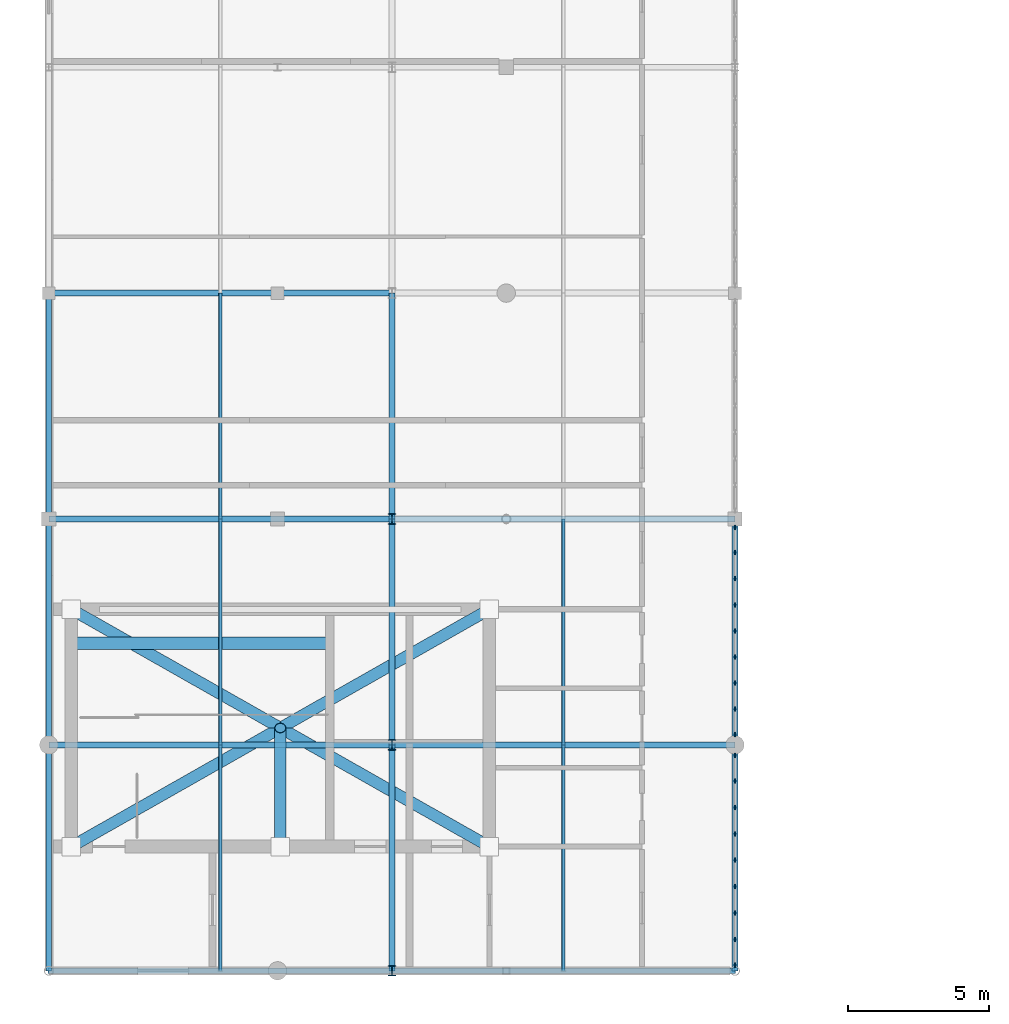
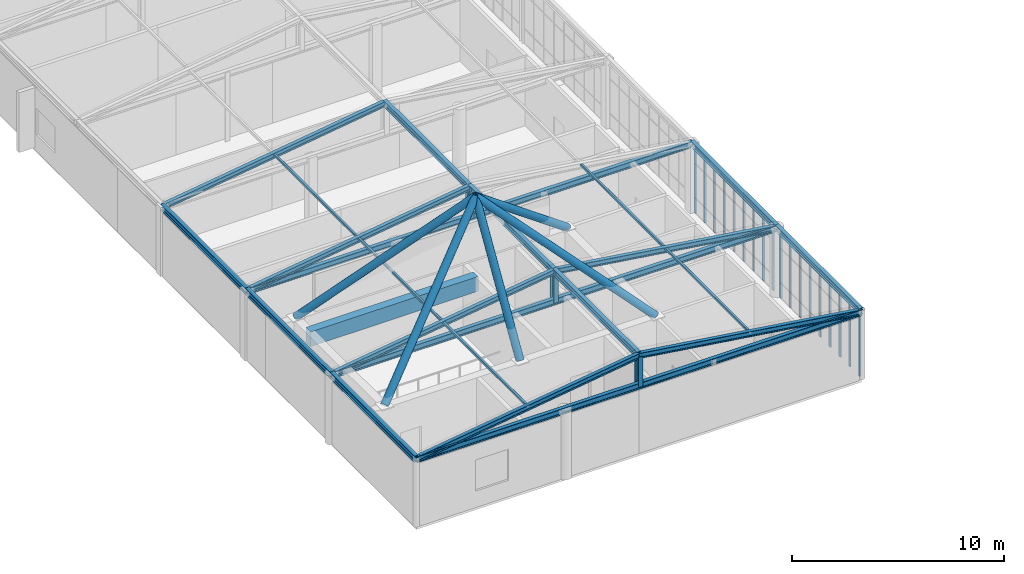
# One storey, part 4 of 21: 37 members, 12 beams, 2 elements without a shape of their own.
"""IFC4 building model written with IfcOpenShell, lengths in metres."""

import ifcopenshell
import ifcopenshell.guid

model = None  # the IFC model being written
_history = None  # IfcOwnerHistory: only IFC2X3 demands one
_inside = {}  # id of a spatial element -> (the spatial element, [elements in it])
_under = {}  # id of a project, library or spatial element -> (it, [spatial elements below it])
_declared = {}  # id of a project -> (the project, [libraries it declares])
_typed = {}  # id of a type object -> (the type object, [elements of that type])
_made_of = {}  # id of a material, layer set ... -> (it, [elements and type objects made of it])


def new_model(schema):
    """Start an empty IFC model of exactly this schema.

    Asked for "IFC4X3", IfcOpenShell would pick the latest addendum, in which some entities
    have other attributes; the version numbers below select the first issue.
    IFC2X3 requires an IfcOwnerHistory on every rooted entity: one is made here for all.
    """
    global model, _history
    if schema == "IFC4X3":
        model = ifcopenshell.file(schema_version=(4, 3, 0, 0))
    else:
        model = ifcopenshell.file(schema=schema)
    _inside.clear()
    _under.clear()
    _declared.clear()
    _typed.clear()
    _made_of.clear()
    _history = None
    if model.schema == "IFC2X3":
        org = make("IfcOrganization", Name="unknown")
        user = make(
            "IfcPersonAndOrganization",
            ThePerson=make("IfcPerson", FamilyName="unknown"),
            TheOrganization=org,
        )
        app = make(
            "IfcApplication",
            ApplicationDeveloper=org,
            Version="unknown",
            ApplicationFullName="unknown",
            ApplicationIdentifier="unknown",
        )
        _history = make(
            "IfcOwnerHistory",
            OwningUser=user,
            OwningApplication=app,
            ChangeAction="ADDED",
            CreationDate=0,
        )
    return model


def make(cls, **values):
    """One entity of the class cls with the attributes given. An attribute that is None is left unset."""
    return model.create_entity(
        cls, **{name: value for name, value in values.items() if value is not None}
    )


def rooted(cls, **values):
    """An entity with a GlobalId (a new one), such as an element, a storey or a relation."""
    return make(cls, GlobalId=ifcopenshell.guid.new(), OwnerHistory=_history, **values)


def si_unit(unit_type, name, prefix=None):
    """IfcSIUnit, for example si_unit("LENGTHUNIT", "METRE", prefix="MILLI")."""
    return make("IfcSIUnit", UnitType=unit_type, Prefix=prefix, Name=name)


def assignment(units):
    """IfcUnitAssignment: the units of a project."""
    return None if units is None else make("IfcUnitAssignment", Units=units)


def point(xyz):
    """IfcCartesianPoint."""
    return None if xyz is None else make("IfcCartesianPoint", Coordinates=xyz)


def direction(xyz):
    """IfcDirection."""
    return None if xyz is None else make("IfcDirection", DirectionRatios=xyz)


def frame(location, z_axis=None, x_axis=None):
    """IfcAxis2Placement3D, a coordinate frame: its origin and axes. An axis left out is left unset."""
    return make(
        "IfcAxis2Placement3D",
        Location=point(location),
        Axis=direction(z_axis),
        RefDirection=direction(x_axis),
    )


def frame_2d(location, x_axis=None):
    """IfcAxis2Placement2D, a coordinate frame in the plane: its origin and x axis."""
    return make(
        "IfcAxis2Placement2D", Location=point(location), RefDirection=direction(x_axis)
    )


def origin():
    """The frame at (0, 0, 0) with its axes left unset."""
    return frame((0.0, 0.0, 0.0))


def origin_2d():
    """The frame at (0, 0) in the plane with its x axis left unset."""
    return frame_2d((0.0, 0.0))


def place(relative_to, where):
    """IfcLocalPlacement: puts the frame where relative to a parent placement (None: the world)."""
    return make(
        "IfcLocalPlacement", PlacementRelTo=relative_to, RelativePlacement=where
    )


def context(
    kind, dimensions, precision=None, world=None, true_north=None, identifier=None
):
    """IfcGeometricRepresentationContext, for example the 3D "Model" context."""
    return make(
        "IfcGeometricRepresentationContext",
        ContextIdentifier=identifier,
        ContextType=kind,
        CoordinateSpaceDimension=dimensions,
        Precision=precision,
        WorldCoordinateSystem=world,
        TrueNorth=true_north,
    )


def subcontext(parent, identifier, kind, view, scale=None):
    """IfcGeometricRepresentationSubContext, for example "Body" below "Model"."""
    return make(
        "IfcGeometricRepresentationSubContext",
        ContextIdentifier=identifier,
        ContextType=kind,
        ParentContext=parent,
        TargetScale=scale,
        TargetView=view,
    )


def project(units=None, contexts=None):
    """IfcProject with its units and contexts."""
    return rooted(
        "IfcProject",
        Name="project",
        RepresentationContexts=contexts,
        UnitsInContext=assignment(units),
    )


def spatial(cls, under=None, at=None, **own):
    """A site, building, storey or space (cls), placed at a placement, below another one or the project."""
    s = rooted(cls, ObjectPlacement=at, **own)
    if under is not None:
        _under.setdefault(under.id(), (under, []))[1].append(s)
    return s


def profile(cls, at=None, kind="AREA", **sizes):
    """A parametric profile (cls). Its sizes go by their IFC names, for example OverallWidth=200.0."""
    return make(cls, ProfileType=kind, Position=at, **sizes)


def rectangle(**sizes):
    """IfcRectangleProfileDef."""
    return profile("IfcRectangleProfileDef", **sizes)


def hollow_rectangle(**sizes):
    """IfcRectangleHollowProfileDef."""
    return profile("IfcRectangleHollowProfileDef", **sizes)


def hollow_circle(**sizes):
    """IfcCircleHollowProfileDef."""
    return profile("IfcCircleHollowProfileDef", **sizes)


def i_section(**sizes):
    """IfcIShapeProfileDef."""
    return profile("IfcIShapeProfileDef", **sizes)


def extrude(swept, where, along, depth):
    """IfcExtrudedAreaSolid: the profile swept, set in the frame where, extruded along a direction by depth."""
    return make(
        "IfcExtrudedAreaSolid",
        SweptArea=swept,
        Position=where,
        ExtrudedDirection=direction(along),
        Depth=depth,
    )


def shape(context_of_items, identifier, shape_type, items):
    """IfcShapeRepresentation: the items that make up one representation, for example the "Body"."""
    return make(
        "IfcShapeRepresentation",
        ContextOfItems=context_of_items,
        RepresentationIdentifier=identifier,
        RepresentationType=shape_type,
        Items=items,
    )


def material(Name=None, Category=None):
    """IfcMaterial."""
    return make("IfcMaterial", Name=Name, Category=Category)


def material_profile(
    of_material, cross_section, Name=None, Category=None, Priority=None
):
    """IfcMaterialProfile: a cross section and its material."""
    return make(
        "IfcMaterialProfile",
        Name=Name,
        Material=of_material,
        Profile=cross_section,
        Priority=Priority,
        Category=Category,
    )


def profile_set(profiles, Name=None, composite=None):
    """IfcMaterialProfileSet."""
    return make(
        "IfcMaterialProfileSet",
        Name=Name,
        MaterialProfiles=profiles,
        CompositeProfile=composite,
    )


def made_of(thing, what):
    """Note that an element or type object is made of a material, layer set ...; save() writes the relation."""
    if what is not None:
        _made_of.setdefault(what.id(), (what, []))[1].append(thing)
    return thing


def type_object(cls, material=None, **own):
    """A type object (cls), such as IfcWallType, which elements share."""
    return made_of(rooted(cls, **own), material)


def element(
    cls,
    number,
    at=None,
    inside=None,
    cuts=None,
    type_object=None,
    material=None,
    context=None,
    identifier="Body",
    shape_type=None,
    held_by="IfcProductDefinitionShape",
    body=None,
    shapes=None,
    **own,
):
    """One element of the class cls, such as IfcWall. Its Tag is "e" and its number.

    at: its placement. inside: the storey or other place that contains it. cuts: it is an
    opening in that element (IfcRelVoidsElement). A single representation is given by context,
    identifier, shape_type and body (its items); several are given by shapes. held_by: the class
    of the entity that holds the representations. save() writes the other relations.
    """
    e = rooted(cls, Tag="e%d" % number, ObjectPlacement=at, **own)
    if body is not None:
        shapes = [shape(context, identifier, shape_type, body)]
    if shapes is not None:
        e.Representation = make(held_by, Representations=shapes)
    if inside is not None:
        _inside.setdefault(inside.id(), (inside, []))[1].append(e)
    if cuts is not None:
        rooted(
            "IfcRelVoidsElement", RelatingBuildingElement=cuts, RelatedOpeningElement=e
        )
    if type_object is not None:
        _typed.setdefault(type_object.id(), (type_object, []))[1].append(e)
    return made_of(e, material)


def aggregate(whole, parts):
    """IfcRelAggregates: a whole, such as a stair, and the parts it consists of."""
    return rooted("IfcRelAggregates", RelatingObject=whole, RelatedObjects=parts)


def save(model, path):
    """Write the relations noted so far, then the file.

    IfcRelAggregates (storeys below a building ...), IfcRelContainedInSpatialStructure (elements
    in a storey), IfcRelDefinesByType, IfcRelAssociatesMaterial and IfcRelDeclares: one each for
    every whole, place, type object, material and project.
    """
    for whole, parts in _under.values():
        aggregate(whole, parts)
    for where, things in _inside.values():
        rooted(
            "IfcRelContainedInSpatialStructure",
            RelatedElements=things,
            RelatingStructure=where,
        )
    for kind, things in _typed.values():
        rooted("IfcRelDefinesByType", RelatedObjects=things, RelatingType=kind)
    for what, things in _made_of.values():
        rooted("IfcRelAssociatesMaterial", RelatedObjects=things, RelatingMaterial=what)
    for by, libraries in _declared.values():
        rooted("IfcRelDeclares", RelatingContext=by, RelatedDefinitions=libraries)
    model.write(path)


model = new_model("IFC4")

# Units and contexts
model_context = context("Model", 3, precision=1e-05, world=origin(), true_north=direction((0.0, 1.0)))
body_context = subcontext(model_context, "Body", "Model", "MODEL_VIEW")
ifc_project = project(units=[si_unit("LENGTHUNIT", "METRE"), si_unit("AREAUNIT", "SQUARE_METRE"), si_unit("VOLUMEUNIT", "CUBIC_METRE"), si_unit("PLANEANGLEUNIT", "RADIAN"), si_unit("MASSUNIT", "GRAM", prefix="KILO")], contexts=[model_context])

# Site, building, storey
site_placement = place(None, origin())
site = spatial("IfcSite", under=ifc_project, at=site_placement, CompositionType="ELEMENT")
building_placement = place(site_placement, origin())
building = spatial("IfcBuilding", under=site, at=building_placement, Name="Tarnveldt Square Police Headquarters", CompositionType="ELEMENT")
storey_placement = place(building_placement, frame((0.0, 0.0, 33.300048828125)))
storey = spatial("IfcBuildingStorey", under=building, at=storey_placement, Name="L07", CompositionType="ELEMENT", Elevation=33.300048828125)

# Beams
ifc_material_1 = material(Name="Concrete 50 MPa", Category="concrete")
ifc_material_profile_1 = material_profile(ifc_material_1, rectangle(XDim=0.449951171875, YDim=0.85009765625, at=origin_2d()), Name="RC-CB450x850")
ifc_profile_set_1 = profile_set([ifc_material_profile_1], Name="Concrete 50 MPa")
beam_type_1 = type_object("IfcBeamType", Name="BM-CB450x850", PredefinedType="BEAM", material=ifc_profile_set_1)
beam_placement = place(storey_placement, frame((17.0, 67.60009765625, 3.554931640625), z_axis=(1.0, 0.0, 0.0), x_axis=(0.0, 1.0, 0.0)))
element("IfcBeam", 1, at=beam_placement, inside=storey, type_object=beam_type_1, Name="Core K1 South-West Command and Firefighting Core L07 Ductile Coupling Beam", PredefinedType="BEAM", context=body_context, shape_type="SweptSolid", body=[
    extrude(rectangle(XDim=0.449951171875, YDim=0.85009765625, at=origin_2d()), origin(), (0.0, 0.0, 1.0), 9.14990234375),
])
ifc_material_2 = material(Name="Steel 350W", Category="steel")
ifc_material_profile_2 = material_profile(ifc_material_2, i_section(OverallWidth=0.205078125, OverallDepth=0.35400390625, WebThickness=0.009521484375, FlangeThickness=0.016845703125, FilletRadius=0.01611328125, at=origin_2d()), Name="W360x79")
ifc_profile_set_2 = profile_set([ifc_material_profile_2], Name="Steel 350W")
beam_type_2 = type_object("IfcBeamType", Name="BM-W360x79", PredefinedType="JOIST", material=ifc_profile_set_2)
for number, where, z_axis, x_axis, name in (
    (2, (16.199951171875, 56.0, 3.83984375), (1.0, 0.0, 0.0), (0.0, 1.0, 0.0), "L07 Roof Tie Girder 56"),
    (3, (16.199951171875, 64.0, 3.83984375), (1.0, 0.0, 0.0), (0.0, 1.0, 0.0), "L07 Roof Tie Girder 64"),
    (4, (16.199951171875, 72.0, 3.83984375), (1.0, 0.0, 0.0), (0.0, 1.0, 0.0), "L07 Roof Tie Girder 72"),
):
    element("IfcBeam", number, at=place(storey_placement, frame(where, z_axis=z_axis, x_axis=x_axis)), inside=storey, type_object=beam_type_2, Name=name, PredefinedType="JOIST", context=body_context, shape_type="SweptSolid", body=[
        extrude(i_section(OverallWidth=0.205078125, OverallDepth=0.35400390625, WebThickness=0.009521484375, FlangeThickness=0.016845703125, FilletRadius=0.01611328125, at=origin_2d()), origin(), (0.0, 0.0, 1.0), 24.300048828125),
    ])
for number, where, z_axis, x_axis, name in (
    (5, (16.199951171875, 56.0, 3.83984375), (0.0, 1.0, 0.0), (-1.0, 0.0, 0.0), "L07 Eave Girder W-1"),
    (6, (40.5, 56.0, 3.83984375), (0.0, 1.0, 0.0), (-1.0, 0.0, 0.0), "L07 Eave Girder E-1"),
    (7, (28.35009765625, 56.0, 5.579833984375), (0.0, 1.0, 0.0), (-1.0, 0.0, 0.0), "L07 Ridge Beam 1"),
    (8, (16.199951171875, 64.0, 3.83984375), (0.0, 1.0, 0.0), (-1.0, 0.0, 0.0), "L07 Eave Girder W-2"),
    (9, (40.5, 64.0, 3.83984375), (0.0, 1.0, 0.0), (-1.0, 0.0, 0.0), "L07 Eave Girder E-2"),
    (10, (28.35009765625, 64.0, 5.579833984375), (0.0, 1.0, 0.0), (-1.0, 0.0, 0.0), "L07 Ridge Beam 2"),
    (11, (16.199951171875, 72.0, 3.83984375), (0.0, 1.0, 0.0), (-1.0, 0.0, 0.0), "L07 Eave Girder W-3"),
    (12, (28.35009765625, 72.0, 5.579833984375), (0.0, 1.0, 0.0), (-1.0, 0.0, 0.0), "L07 Ridge Beam 3"),
):
    element("IfcBeam", number, at=place(storey_placement, frame(where, z_axis=z_axis, x_axis=x_axis)), inside=storey, type_object=beam_type_2, Name=name, PredefinedType="JOIST", context=body_context, shape_type="SweptSolid", body=[
        extrude(i_section(OverallWidth=0.205078125, OverallDepth=0.35400390625, WebThickness=0.009521484375, FlangeThickness=0.016845703125, FilletRadius=0.01611328125, at=origin_2d()), origin(), (0.0, 0.0, 1.0), 8.0),
    ])

# Curtain wall, members
ifc_material_3 = material(Name="Triple-glazed low-e laminated vision glass", Category="glass")
curtain_wall_type_1 = type_object("IfcCurtainWallType", Name="CW-UP-748x366", PredefinedType="USERDEFINED", material=ifc_material_3)
curtain_wall_1_placement = place(storey_placement, origin())
curtain_wall_1 = element("IfcCurtainWall", 13, at=curtain_wall_1_placement, inside=storey, type_object=curtain_wall_type_1, Name="L07 Curtain Wall CW-L07-094", ObjectType="GLAZED CURTAIN WALL", PredefinedType="USERDEFINED")
ifc_material_4 = material(Name="Thermally broken anodised aluminium 6063-T6", Category="aluminium")
ifc_material_profile_3 = material_profile(ifc_material_4, rectangle(XDim=0.06494140625, YDim=0.159912109375, at=origin_2d()), Name="CW-M65x160")
ifc_profile_set_3 = profile_set([ifc_material_profile_3], Name="Thermally broken anodised aluminium 6063-T6")
member_type_1 = type_object("IfcMemberType", Name="CWM-65x160", PredefinedType="MULLION", material=ifc_profile_set_3)
member_1_placement = place(storey_placement, frame((40.5, 56.20947265625, 0.0), z_axis=(0.0, 0.0, 1.0), x_axis=(-1.0, 0.0, 0.0)))
member_1 = element("IfcMember", 14, at=member_1_placement, type_object=member_type_1, Name="CW-UP51 mullion 1", PredefinedType="MULLION", context=body_context, shape_type="SweptSolid", body=[
    extrude(rectangle(XDim=0.06494140625, YDim=0.159912109375, at=origin_2d()), origin(), (0.0, 0.0, 1.0), 3.655029296875),
])
member_2_placement = place(storey_placement, frame((40.5, 57.1123046875, 0.0), z_axis=(0.0, 0.0, 1.0), x_axis=(-1.0, 0.0, 0.0)))
member_2 = element("IfcMember", 15, at=member_2_placement, type_object=member_type_1, Name="CW-UP51 mullion 2", PredefinedType="MULLION", context=body_context, shape_type="SweptSolid", body=[
    extrude(rectangle(XDim=0.06494140625, YDim=0.159912109375, at=origin_2d()), origin(), (0.0, 0.0, 1.0), 3.655029296875),
])
member_3_placement = place(storey_placement, frame((40.5, 58.0478515625, 0.0), z_axis=(0.0, 0.0, 1.0), x_axis=(-1.0, 0.0, 0.0)))
member_3 = element("IfcMember", 16, at=member_3_placement, type_object=member_type_1, Name="CW-UP51 mullion 3", PredefinedType="MULLION", context=body_context, shape_type="SweptSolid", body=[
    extrude(rectangle(XDim=0.06494140625, YDim=0.159912109375, at=origin_2d()), origin(), (0.0, 0.0, 1.0), 3.655029296875),
])
member_4_placement = place(storey_placement, frame((40.5, 58.983154296875, 0.0), z_axis=(0.0, 0.0, 1.0), x_axis=(-1.0, 0.0, 0.0)))
member_4 = element("IfcMember", 17, at=member_4_placement, type_object=member_type_1, Name="CW-UP51 mullion 4", PredefinedType="MULLION", context=body_context, shape_type="SweptSolid", body=[
    extrude(rectangle(XDim=0.06494140625, YDim=0.159912109375, at=origin_2d()), origin(), (0.0, 0.0, 1.0), 3.655029296875),
])
member_5_placement = place(storey_placement, frame((40.5, 59.91845703125, 0.0), z_axis=(0.0, 0.0, 1.0), x_axis=(-1.0, 0.0, 0.0)))
member_5 = element("IfcMember", 18, at=member_5_placement, type_object=member_type_1, Name="CW-UP51 mullion 5", PredefinedType="MULLION", context=body_context, shape_type="SweptSolid", body=[
    extrude(rectangle(XDim=0.06494140625, YDim=0.159912109375, at=origin_2d()), origin(), (0.0, 0.0, 1.0), 3.655029296875),
])
member_6_placement = place(storey_placement, frame((40.5, 60.853759765625, 0.0), z_axis=(0.0, 0.0, 1.0), x_axis=(-1.0, 0.0, 0.0)))
member_6 = element("IfcMember", 19, at=member_6_placement, type_object=member_type_1, Name="CW-UP51 mullion 6", PredefinedType="MULLION", context=body_context, shape_type="SweptSolid", body=[
    extrude(rectangle(XDim=0.06494140625, YDim=0.159912109375, at=origin_2d()), origin(), (0.0, 0.0, 1.0), 3.655029296875),
])
member_7_placement = place(storey_placement, frame((40.5, 61.789306640625, 0.0), z_axis=(0.0, 0.0, 1.0), x_axis=(-1.0, 0.0, 0.0)))
member_7 = element("IfcMember", 20, at=member_7_placement, type_object=member_type_1, Name="CW-UP51 mullion 7", PredefinedType="MULLION", context=body_context, shape_type="SweptSolid", body=[
    extrude(rectangle(XDim=0.06494140625, YDim=0.159912109375, at=origin_2d()), origin(), (0.0, 0.0, 1.0), 3.655029296875),
])
member_8_placement = place(storey_placement, frame((40.5, 62.724609375, 0.0), z_axis=(0.0, 0.0, 1.0), x_axis=(-1.0, 0.0, 0.0)))
member_8 = element("IfcMember", 21, at=member_8_placement, type_object=member_type_1, Name="CW-UP51 mullion 8", PredefinedType="MULLION", context=body_context, shape_type="SweptSolid", body=[
    extrude(rectangle(XDim=0.06494140625, YDim=0.159912109375, at=origin_2d()), origin(), (0.0, 0.0, 1.0), 3.655029296875),
])
member_9_placement = place(storey_placement, frame((40.5, 63.62744140625, 0.0), z_axis=(0.0, 0.0, 1.0), x_axis=(-1.0, 0.0, 0.0)))
member_9 = element("IfcMember", 22, at=member_9_placement, type_object=member_type_1, Name="CW-UP51 mullion 9", PredefinedType="MULLION", context=body_context, shape_type="SweptSolid", body=[
    extrude(rectangle(XDim=0.06494140625, YDim=0.159912109375, at=origin_2d()), origin(), (0.0, 0.0, 1.0), 3.655029296875),
])
aggregate(curtain_wall_1, [member_1, member_2, member_3, member_4, member_5, member_6, member_7, member_8, member_9])

curtain_wall_type_2 = type_object("IfcCurtainWallType", Name="CW-UP-739x366", PredefinedType="USERDEFINED", material=ifc_material_3)
curtain_wall_2_placement = place(storey_placement, origin())
curtain_wall_2 = element("IfcCurtainWall", 23, at=curtain_wall_2_placement, inside=storey, type_object=curtain_wall_type_2, Name="L07 Curtain Wall CW-L07-095", ObjectType="GLAZED CURTAIN WALL", PredefinedType="USERDEFINED")
member_10_placement = place(storey_placement, frame((40.5, 64.37255859375, 0.0), z_axis=(0.0, 0.0, 1.0), x_axis=(-1.0, 0.0, 0.0)))
member_10 = element("IfcMember", 24, at=member_10_placement, type_object=member_type_1, Name="CW-UP52 mullion 1", PredefinedType="MULLION", context=body_context, shape_type="SweptSolid", body=[
    extrude(rectangle(XDim=0.06494140625, YDim=0.159912109375, at=origin_2d()), origin(), (0.0, 0.0, 1.0), 3.655029296875),
])
member_11_placement = place(storey_placement, frame((40.5, 65.264404296875, 0.0), z_axis=(0.0, 0.0, 1.0), x_axis=(-1.0, 0.0, 0.0)))
member_11 = element("IfcMember", 25, at=member_11_placement, type_object=member_type_1, Name="CW-UP52 mullion 2", PredefinedType="MULLION", context=body_context, shape_type="SweptSolid", body=[
    extrude(rectangle(XDim=0.06494140625, YDim=0.159912109375, at=origin_2d()), origin(), (0.0, 0.0, 1.0), 3.655029296875),
])
member_12_placement = place(storey_placement, frame((40.5, 66.188720703125, 0.0), z_axis=(0.0, 0.0, 1.0), x_axis=(-1.0, 0.0, 0.0)))
member_12 = element("IfcMember", 26, at=member_12_placement, type_object=member_type_1, Name="CW-UP52 mullion 3", PredefinedType="MULLION", context=body_context, shape_type="SweptSolid", body=[
    extrude(rectangle(XDim=0.06494140625, YDim=0.159912109375, at=origin_2d()), origin(), (0.0, 0.0, 1.0), 3.655029296875),
])
member_13_placement = place(storey_placement, frame((40.5, 67.113037109375, 0.0), z_axis=(0.0, 0.0, 1.0), x_axis=(-1.0, 0.0, 0.0)))
member_13 = element("IfcMember", 27, at=member_13_placement, type_object=member_type_1, Name="CW-UP52 mullion 4", PredefinedType="MULLION", context=body_context, shape_type="SweptSolid", body=[
    extrude(rectangle(XDim=0.06494140625, YDim=0.159912109375, at=origin_2d()), origin(), (0.0, 0.0, 1.0), 3.655029296875),
])
member_14_placement = place(storey_placement, frame((40.5, 68.03759765625, 0.0), z_axis=(0.0, 0.0, 1.0), x_axis=(-1.0, 0.0, 0.0)))
member_14 = element("IfcMember", 28, at=member_14_placement, type_object=member_type_1, Name="CW-UP52 mullion 5", PredefinedType="MULLION", context=body_context, shape_type="SweptSolid", body=[
    extrude(rectangle(XDim=0.06494140625, YDim=0.159912109375, at=origin_2d()), origin(), (0.0, 0.0, 1.0), 3.655029296875),
])
member_15_placement = place(storey_placement, frame((40.5, 68.9619140625, 0.0), z_axis=(0.0, 0.0, 1.0), x_axis=(-1.0, 0.0, 0.0)))
member_15 = element("IfcMember", 29, at=member_15_placement, type_object=member_type_1, Name="CW-UP52 mullion 6", PredefinedType="MULLION", context=body_context, shape_type="SweptSolid", body=[
    extrude(rectangle(XDim=0.06494140625, YDim=0.159912109375, at=origin_2d()), origin(), (0.0, 0.0, 1.0), 3.655029296875),
])
member_16_placement = place(storey_placement, frame((40.5, 69.88623046875, 0.0), z_axis=(0.0, 0.0, 1.0), x_axis=(-1.0, 0.0, 0.0)))
member_16 = element("IfcMember", 30, at=member_16_placement, type_object=member_type_1, Name="CW-UP52 mullion 7", PredefinedType="MULLION", context=body_context, shape_type="SweptSolid", body=[
    extrude(rectangle(XDim=0.06494140625, YDim=0.159912109375, at=origin_2d()), origin(), (0.0, 0.0, 1.0), 3.655029296875),
])
member_17_placement = place(storey_placement, frame((40.5, 70.810546875, 0.0), z_axis=(0.0, 0.0, 1.0), x_axis=(-1.0, 0.0, 0.0)))
member_17 = element("IfcMember", 31, at=member_17_placement, type_object=member_type_1, Name="CW-UP52 mullion 8", PredefinedType="MULLION", context=body_context, shape_type="SweptSolid", body=[
    extrude(rectangle(XDim=0.06494140625, YDim=0.159912109375, at=origin_2d()), origin(), (0.0, 0.0, 1.0), 3.655029296875),
])
member_18_placement = place(storey_placement, frame((40.5, 71.702392578125, 0.0), z_axis=(0.0, 0.0, 1.0), x_axis=(-1.0, 0.0, 0.0)))
member_18 = element("IfcMember", 32, at=member_18_placement, type_object=member_type_1, Name="CW-UP52 mullion 9", PredefinedType="MULLION", context=body_context, shape_type="SweptSolid", body=[
    extrude(rectangle(XDim=0.06494140625, YDim=0.159912109375, at=origin_2d()), origin(), (0.0, 0.0, 1.0), 3.655029296875),
])
aggregate(curtain_wall_2, [member_10, member_11, member_12, member_13, member_14, member_15, member_16, member_17, member_18])

# Members
ifc_material_profile_4 = material_profile(ifc_material_2, i_section(OverallWidth=0.257080078125, OverallDepth=0.363037109375, WebThickness=0.012939453125, FlangeThickness=0.021728515625, FilletRadius=0.01611328125, at=origin_2d()), Name="W360x122")
ifc_profile_set_4 = profile_set([ifc_material_profile_4], Name="Steel 350W")
member_type_2 = type_object("IfcMemberType", Name="MEM-CT-POST", PredefinedType="STRUT", material=ifc_profile_set_4)
for number, where, z_axis, x_axis, name in (
    (33, (28.35009765625, 56.0, 3.83984375), (0.0, 0.0, 1.0), (1.0, 0.0, 0.0), "L07 Roof King Post 56"),
    (34, (28.35009765625, 64.0, 3.83984375), (0.0, 0.0, 1.0), (1.0, 0.0, 0.0), "L07 Roof King Post 64"),
    (35, (28.35009765625, 72.0, 3.83984375), (0.0, 0.0, 1.0), (1.0, 0.0, 0.0), "L07 Roof King Post 72"),
):
    element("IfcMember", number, at=place(storey_placement, frame(where, z_axis=z_axis, x_axis=x_axis)), inside=storey, type_object=member_type_2, Name=name, PredefinedType="STRUT", context=body_context, shape_type="SweptSolid", body=[
        extrude(i_section(OverallWidth=0.257080078125, OverallDepth=0.363037109375, WebThickness=0.012939453125, FlangeThickness=0.021728515625, FilletRadius=0.01611328125, at=origin_2d()), origin(), (0.0, 0.0, 1.0), 1.739990234375),
    ])
ifc_material_profile_5 = material_profile(ifc_material_2, hollow_rectangle(XDim=0.126953125, YDim=0.126953125, WallThickness=0.008056640625, InnerFilletRadius=0.008056640625, OuterFilletRadius=0.01611328125, at=origin_2d()), Name="HSS127x127x8.0")
ifc_profile_set_5 = profile_set([ifc_material_profile_5], Name="Steel 350W")
member_type_3 = type_object("IfcMemberType", Name="MEM-L07-PUR", PredefinedType="PURLIN", material=ifc_profile_set_5)
for number, where, z_axis, x_axis, name in (
    (36, (22.27490234375, 56.0, 4.760009765625), (0.0, 1.0, 0.0), (-1.0, 0.0, 0.0), "L07 Pitched Roof Purlin W-1"),
    (37, (34.425048828125, 56.0, 4.760009765625), (0.0, 1.0, 0.0), (-1.0, 0.0, 0.0), "L07 Pitched Roof Purlin E-1"),
    (38, (22.27490234375, 64.0, 4.760009765625), (0.0, 1.0, 0.0), (-1.0, 0.0, 0.0), "L07 Pitched Roof Purlin W-2"),
    (39, (34.425048828125, 64.0, 4.760009765625), (0.0, 1.0, 0.0), (-1.0, 0.0, 0.0), "L07 Pitched Roof Purlin E-2"),
    (40, (22.27490234375, 72.0, 4.760009765625), (0.0, 1.0, 0.0), (-1.0, 0.0, 0.0), "L07 Pitched Roof Purlin W-3"),
):
    element("IfcMember", number, at=place(storey_placement, frame(where, z_axis=z_axis, x_axis=x_axis)), inside=storey, type_object=member_type_3, Name=name, PredefinedType="PURLIN", context=body_context, shape_type="SweptSolid", body=[
        extrude(hollow_rectangle(XDim=0.126953125, YDim=0.126953125, WallThickness=0.008056640625, InnerFilletRadius=0.008056640625, OuterFilletRadius=0.01611328125, at=origin_2d()), origin(), (0.0, 0.0, 1.0), 8.0),
    ])
ifc_material_profile_6 = material_profile(ifc_material_2, i_section(OverallWidth=0.202880859375, OverallDepth=0.302978515625, WebThickness=0.007568359375, FlangeThickness=0.01318359375, FilletRadius=0.014892578125, at=origin_2d()), Name="W310x60")
ifc_profile_set_6 = profile_set([ifc_material_profile_6], Name="Steel 350W")
member_type_4 = type_object("IfcMemberType", Name="MEM-L07-RAF", PredefinedType="RAFTER", material=ifc_profile_set_6)
member_19_placement = place(storey_placement, frame((16.199951171875, 56.0, 3.83984375), z_axis=(0.989900902037, 0.0, 0.141761081215), x_axis=(0.0, 1.0, 0.0)))
element("IfcMember", 41, at=member_19_placement, inside=storey, type_object=member_type_4, Name="L07 Pitched Roof Rafter W-56", PredefinedType="RAFTER", context=body_context, shape_type="SweptSolid", body=[
    extrude(i_section(OverallWidth=0.202880859375, OverallDepth=0.302978515625, WebThickness=0.007568359375, FlangeThickness=0.01318359375, FilletRadius=0.014892578125, at=origin_2d()), origin(), (0.0, 0.0, 1.0), 12.274169921875),
])
member_20_placement = place(storey_placement, frame((28.35009765625, 56.0, 5.579833984375), z_axis=(0.989900502297, 0.0, -0.141763872521), x_axis=(0.0, 1.0, 0.0)))
element("IfcMember", 42, at=member_20_placement, inside=storey, type_object=member_type_4, Name="L07 Pitched Roof Rafter E-56", PredefinedType="RAFTER", context=body_context, shape_type="SweptSolid", body=[
    extrude(i_section(OverallWidth=0.202880859375, OverallDepth=0.302978515625, WebThickness=0.007568359375, FlangeThickness=0.01318359375, FilletRadius=0.014892578125, at=origin_2d()), origin(), (0.0, 0.0, 1.0), 12.27392578125),
])
member_21_placement = place(storey_placement, frame((16.199951171875, 64.0, 3.83984375), z_axis=(0.989900902037, 0.0, 0.141761081215), x_axis=(0.0, 1.0, 0.0)))
element("IfcMember", 43, at=member_21_placement, inside=storey, type_object=member_type_4, Name="L07 Pitched Roof Rafter W-64", PredefinedType="RAFTER", context=body_context, shape_type="SweptSolid", body=[
    extrude(i_section(OverallWidth=0.202880859375, OverallDepth=0.302978515625, WebThickness=0.007568359375, FlangeThickness=0.01318359375, FilletRadius=0.014892578125, at=origin_2d()), origin(), (0.0, 0.0, 1.0), 12.274169921875),
])
member_22_placement = place(storey_placement, frame((28.35009765625, 64.0, 5.579833984375), z_axis=(0.989900502297, 0.0, -0.141763872521), x_axis=(0.0, 1.0, 0.0)))
element("IfcMember", 44, at=member_22_placement, inside=storey, type_object=member_type_4, Name="L07 Pitched Roof Rafter E-64", PredefinedType="RAFTER", context=body_context, shape_type="SweptSolid", body=[
    extrude(i_section(OverallWidth=0.202880859375, OverallDepth=0.302978515625, WebThickness=0.007568359375, FlangeThickness=0.01318359375, FilletRadius=0.014892578125, at=origin_2d()), origin(), (0.0, 0.0, 1.0), 12.27392578125),
])
for number, where, z_axis, x_axis, name in (
    (45, (16.199951171875, 72.0, 3.83984375), (0.989900902037, 0.0, 0.141761081215), (0.0, 1.0, 0.0), "L07 Pitched Roof Rafter W-72"),
    (46, (16.199951171875, 80.0, 3.83984375), (0.989900902037, 0.0, 0.141761081215), (0.0, 1.0, 0.0), "L07 Pitched Roof Rafter W-80"),
):
    element("IfcMember", number, at=place(storey_placement, frame(where, z_axis=z_axis, x_axis=x_axis)), inside=storey, type_object=member_type_4, Name=name, PredefinedType="RAFTER", context=body_context, shape_type="SweptSolid", body=[
        extrude(i_section(OverallWidth=0.202880859375, OverallDepth=0.302978515625, WebThickness=0.007568359375, FlangeThickness=0.01318359375, FilletRadius=0.014892578125, at=origin_2d()), origin(), (0.0, 0.0, 1.0), 12.274169921875),
    ])
ifc_material_profile_7 = material_profile(ifc_material_2, hollow_circle(Radius=0.203125, WallThickness=0.015869140625, at=origin_2d()), Name="HSS406x16")
ifc_profile_set_7 = profile_set([ifc_material_profile_7], Name="Steel 350W")
member_type_5 = type_object("IfcMemberType", Name="MEM-MAST-LEG", PredefinedType="BRACE", material=ifc_profile_set_7)
for number, where, z_axis, x_axis, name in (
    (47, (17.0, 60.39990234375, 3.97998046875), (0.674713382231, 0.382968295213, 0.630949393137), (-0.493627807595, 0.869673264835, 0.0), "Roof Radio Mast RM1 Leg 1"),
    (48, (31.800048828125, 60.39990234375, 3.97998046875), (-0.674725508587, 0.382962543292, 0.63093991671), (-0.493615490258, -0.869680256058, 0.0), "Roof Radio Mast RM1 Leg 2"),
):
    element("IfcMember", number, at=place(storey_placement, frame(where, z_axis=z_axis, x_axis=x_axis)), inside=storey, type_object=member_type_5, Name=name, PredefinedType="BRACE", context=body_context, shape_type="SweptSolid", body=[
        extrude(hollow_circle(Radius=0.203125, WallThickness=0.015869140625, at=origin_2d()), origin(), (0.0, 0.0, 1.0), 10.967529296875),
    ])
member_23_placement = place(storey_placement, frame((17.0, 68.800048828125, 3.97998046875), z_axis=(0.674719134094, -0.382949299367, 0.630954771915), x_axis=(0.493606106001, 0.869685582334, 0.0)))
element("IfcMember", 49, at=member_23_placement, inside=storey, type_object=member_type_5, Name="Roof Radio Mast RM1 Leg 3", PredefinedType="BRACE", context=body_context, shape_type="SweptSolid", body=[
    extrude(hollow_circle(Radius=0.203125, WallThickness=0.015869140625, at=origin_2d()), origin(), (0.0, 0.0, 1.0), 10.96728515625),
])
member_24_placement = place(storey_placement, frame((31.800048828125, 68.800048828125, 3.97998046875), z_axis=(-0.674731260379, -0.382943547633, 0.630945295246), x_axis=(0.493593788856, -0.869692573041, 0.0)))
element("IfcMember", 50, at=member_24_placement, inside=storey, type_object=member_type_5, Name="Roof Radio Mast RM1 Leg 4", PredefinedType="BRACE", context=body_context, shape_type="SweptSolid", body=[
    extrude(hollow_circle(Radius=0.203125, WallThickness=0.015869140625, at=origin_2d()), origin(), (0.0, 0.0, 1.0), 10.967529296875),
])
member_25_placement = place(storey_placement, frame((24.39990234375, 60.39990234375, 3.97998046875), z_axis=(0.0, 0.518871094816, 0.854852494273), x_axis=(-1.0, 0.0, 0.0)))
element("IfcMember", 51, at=member_25_placement, inside=storey, type_object=member_type_5, Name="Roof Radio Mast RM1 Leg 5", PredefinedType="BRACE", context=body_context, shape_type="SweptSolid", body=[
    extrude(hollow_circle(Radius=0.203125, WallThickness=0.015869140625, at=origin_2d()), origin(), (0.0, 0.0, 1.0), 8.094970703125),
])

save(model, "model.ifc")
